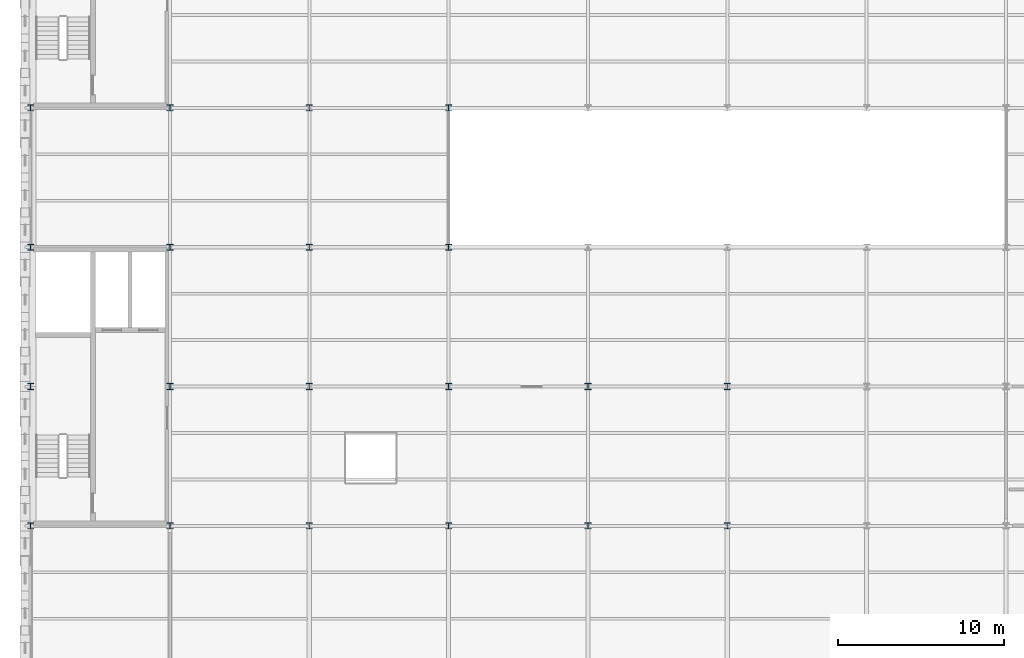
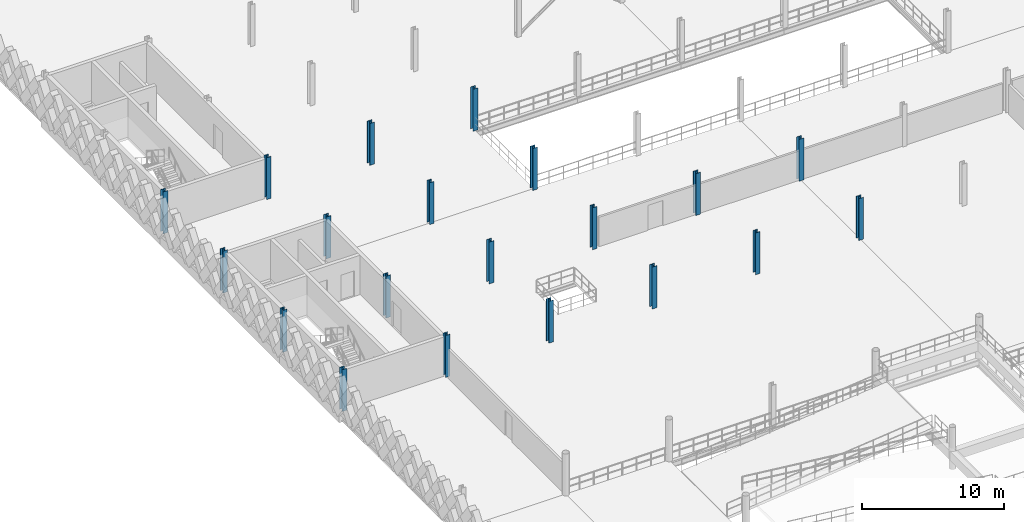
# One storey, part 3 of 74: 20 columns.
"""IFC4 building model written with IfcOpenShell, lengths in metres."""

from ifc_helpers import new_model, si_unit, direction, frame, origin, origin_2d, place, context, subcontext, project, spatial, i_section, extrude, material, material_profile, profile_set, type_object, element, save


model = new_model("IFC4")

# Units and contexts
model_context = context("Model", 3, precision=1e-05, world=origin(), true_north=direction((0.0, 1.0)))
body_context = subcontext(model_context, "Body", "Model", "MODEL_VIEW")
ifc_project = project(units=[si_unit("LENGTHUNIT", "METRE"), si_unit("AREAUNIT", "SQUARE_METRE"), si_unit("VOLUMEUNIT", "CUBIC_METRE"), si_unit("PLANEANGLEUNIT", "RADIAN"), si_unit("MASSUNIT", "GRAM", prefix="KILO"), si_unit("THERMODYNAMICTEMPERATUREUNIT", "KELVIN"), si_unit("POWERUNIT", "WATT")], contexts=[model_context])

# Site, building, storey
site_placement = place(None, origin())
site = spatial("IfcSite", under=ifc_project, at=site_placement, CompositionType="ELEMENT")
building_placement = place(site_placement, origin())
building = spatial("IfcBuilding", under=site, at=building_placement, Name="Tembeka Court Mobility Hub", CompositionType="ELEMENT")
storey_placement = place(building_placement, frame((0.0, 0.0, 12.60009765625)))
storey = spatial("IfcBuildingStorey", under=building, at=storey_placement, Name="L03", CompositionType="ELEMENT", Elevation=12.60009765625)

# Columns
ifc_material = material(Name="Steel S355", Category="steel")
ifc_material_profile = material_profile(ifc_material, i_section(OverallWidth=0.373046875, OverallDepth=0.367919921875, WebThickness=0.014404296875, FlangeThickness=0.023681640625, FilletRadius=0.01513671875, at=origin_2d()), Name="UKC 356x368x177")
ifc_profile_set = profile_set([ifc_material_profile], Name="Steel S355")
column_type = type_object("IfcColumnType", Name="COL-C03", PredefinedType="COLUMN", material=ifc_profile_set)
for number, where, z_axis, x_axis, name in (
    (1, (0.0, 38.39990234375, 0.0), (0.0, 0.0, 1.0), (1.0, 0.0, 0.0), "Column C03 (L03-004)"),
    (2, (0.0, 46.800048828125, 0.0), (0.0, 0.0, 1.0), (1.0, 0.0, 0.0), "Column C03 (L03-005)"),
    (3, (0.0, 55.199951171875, 0.0), (0.0, 0.0, 1.0), (1.0, 0.0, 0.0), "Column C03 (L03-006)"),
    (4, (0.0, 63.60009765625, 0.0), (0.0, 0.0, 1.0), (1.0, 0.0, 0.0), "Column C03 (L03-007)"),
    (5, (8.39990234375, 38.39990234375, 0.0), (0.0, 0.0, 1.0), (1.0, 0.0, 0.0), "Column C03 (L03-016)"),
    (6, (8.39990234375, 46.800048828125, 0.0), (0.0, 0.0, 1.0), (1.0, 0.0, 0.0), "Column C03 (L03-017)"),
    (7, (8.39990234375, 55.199951171875, 0.0), (0.0, 0.0, 1.0), (1.0, 0.0, 0.0), "Column C03 (L03-018)"),
    (8, (8.39990234375, 63.60009765625, 0.0), (0.0, 0.0, 1.0), (1.0, 0.0, 0.0), "Column C03 (L03-019)"),
    (9, (16.800048828125, 38.39990234375, 0.0), (0.0, 0.0, 1.0), (1.0, 0.0, 0.0), "Column C03 (L03-028)"),
    (10, (16.800048828125, 46.800048828125, 0.0), (0.0, 0.0, 1.0), (1.0, 0.0, 0.0), "Column C03 (L03-029)"),
    (11, (16.800048828125, 55.199951171875, 0.0), (0.0, 0.0, 1.0), (1.0, 0.0, 0.0), "Column C03 (L03-030)"),
    (12, (16.800048828125, 63.60009765625, 0.0), (0.0, 0.0, 1.0), (1.0, 0.0, 0.0), "Column C03 (L03-031)"),
    (13, (25.199951171875, 38.39990234375, 0.0), (0.0, 0.0, 1.0), (1.0, 0.0, 0.0), "Column C03 (L03-039)"),
    (14, (25.199951171875, 46.800048828125, 0.0), (0.0, 0.0, 1.0), (1.0, 0.0, 0.0), "Column C03 (L03-040)"),
    (15, (25.199951171875, 55.199951171875, 0.0), (0.0, 0.0, 1.0), (1.0, 0.0, 0.0), "Column C03 (L03-041)"),
    (16, (25.199951171875, 63.60009765625, 0.0), (0.0, 0.0, 1.0), (1.0, 0.0, 0.0), "Column C03 (L03-042)"),
    (17, (33.60009765625, 38.39990234375, 0.0), (0.0, 0.0, 1.0), (1.0, 0.0, 0.0), "Column C03 (L03-050)"),
    (18, (33.60009765625, 46.800048828125, 0.0), (0.0, 0.0, 1.0), (1.0, 0.0, 0.0), "Column C03 (L03-051)"),
    (19, (42.0, 38.39990234375, 0.0), (0.0, 0.0, 1.0), (1.0, 0.0, 0.0), "Column C03 (L03-062)"),
    (20, (42.0, 46.800048828125, 0.0), (0.0, 0.0, 1.0), (1.0, 0.0, 0.0), "Column C03 (L03-063)"),
):
    element("IfcColumn", number, at=place(storey_placement, frame(where, z_axis=z_axis, x_axis=x_axis)), inside=storey, type_object=column_type, Name=name, PredefinedType="COLUMN", context=body_context, shape_type="SweptSolid", body=[
        extrude(i_section(OverallWidth=0.373046875, OverallDepth=0.367919921875, WebThickness=0.014404296875, FlangeThickness=0.023681640625, FilletRadius=0.01513671875, at=origin_2d()), origin(), (0.0, 0.0, 1.0), 3.599853515625),
    ])

save(model, "model.ifc")
